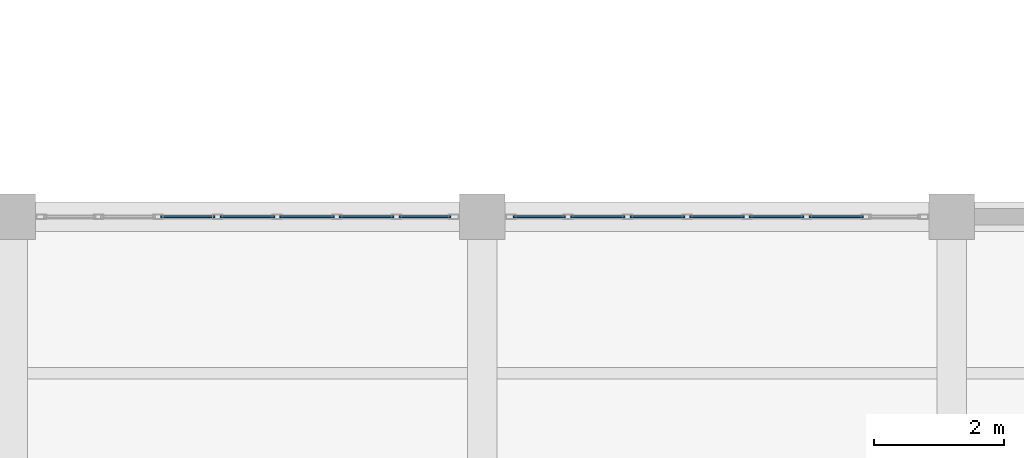
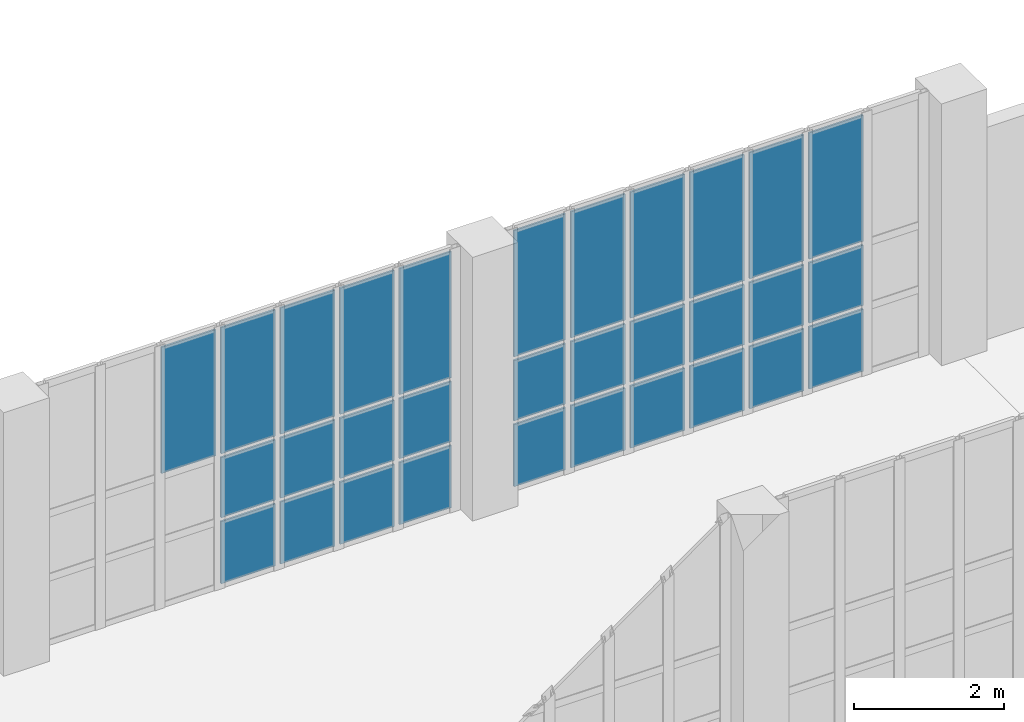
# One storey, part 76 of 108: 31 plates, 2 elements without a shape of their own.
"""IFC4 building model written with IfcOpenShell, lengths in metres."""

from ifc_helpers import new_model, si_unit, direction, frame, origin, origin_2d, place, context, subcontext, project, spatial, rectangle, extrude, material, layer, layer_set, type_object, element, aggregate, save


model = new_model("IFC4")

# Units and contexts
model_context = context("Model", 3, precision=1e-05, world=origin(), true_north=direction((0.0, 1.0)))
body_context = subcontext(model_context, "Body", "Model", "MODEL_VIEW")
ifc_project = project(units=[si_unit("LENGTHUNIT", "METRE"), si_unit("AREAUNIT", "SQUARE_METRE"), si_unit("VOLUMEUNIT", "CUBIC_METRE"), si_unit("PLANEANGLEUNIT", "RADIAN"), si_unit("MASSUNIT", "GRAM", prefix="KILO"), si_unit("THERMODYNAMICTEMPERATUREUNIT", "KELVIN"), si_unit("POWERUNIT", "WATT")], contexts=[model_context])

# Site, building, storey
site_placement = place(None, origin())
site = spatial("IfcSite", under=ifc_project, at=site_placement, CompositionType="ELEMENT")
building_placement = place(site_placement, origin())
building = spatial("IfcBuilding", under=site, at=building_placement, Name="Kaldorven Railside Theatre", CompositionType="ELEMENT")
storey_placement = place(building_placement, frame((0.0, 0.0, 5.39990234375)))
storey = spatial("IfcBuildingStorey", under=building, at=storey_placement, Name="L01", CompositionType="ELEMENT", Elevation=5.39990234375)

# Curtain wall, plates
ifc_material = material(Name="Low-E laminated solar-control glass", Category="glass")
ifc_layer_1 = layer(ifc_material, 0.159912109375, Name="Low-E laminated solar-control glass")
ifc_layer_set_1 = layer_set([ifc_layer_1], Name="Low-E laminated solar-control glass")
curtain_wall_type = type_object("IfcCurtainWallType", Name="CWT-25", PredefinedType="USERDEFINED", material=ifc_layer_set_1)
curtain_wall_1_placement = place(storey_placement, origin())
curtain_wall_1 = element("IfcCurtainWall", 1, at=curtain_wall_1_placement, inside=storey, type_object=curtain_wall_type, Name="Sinusoidal Fluted Curtain Wall CW-L01-BN03", ObjectType="FLUTED GLAZING", PredefinedType="USERDEFINED")
ifc_layer_2 = layer(ifc_material, 0.028076171875, Name="Low-E laminated solar-control glass")
ifc_layer_set_2 = layer_set([ifc_layer_2], Name="Low-E laminated solar-control glass")
plate_type = type_object("IfcPlateType", Name="CWP-GLZ28", PredefinedType="CURTAIN_PANEL", material=ifc_layer_set_2)
plate_1_placement = place(storey_placement, frame((61.085693359375, 76.800048828125, 2.169921875), z_axis=(0.0, 0.0, 1.0), x_axis=(1.0, 0.0, 0.0)))
plate_1 = element("IfcPlate", 2, at=plate_1_placement, type_object=plate_type, Name="CW-L01-BN03 panel 3.3", PredefinedType="CURTAIN_PANEL", context=body_context, shape_type="SweptSolid", body=[
    extrude(rectangle(XDim=0.834228515625, YDim=0.028076171875, at=origin_2d()), origin(), (0.0, 0.0, 1.0), 2.050048828125),
])
plate_2_placement = place(storey_placement, frame((62.0, 76.800048828125, 0.06005859375), z_axis=(0.0, 0.0, 1.0), x_axis=(1.0, 0.0, 0.0)))
plate_2 = element("IfcPlate", 3, at=plate_2_placement, type_object=plate_type, Name="CW-L01-BN03 panel 4.1", PredefinedType="CURTAIN_PANEL", context=body_context, shape_type="SweptSolid", body=[
    extrude(rectangle(XDim=0.834228515625, YDim=0.028076171875, at=origin_2d()), origin(), (0.0, 0.0, 1.0), 1.010009765625),
])
plate_3_placement = place(storey_placement, frame((62.0, 76.800048828125, 1.130126953125), z_axis=(0.0, 0.0, 1.0), x_axis=(1.0, 0.0, 0.0)))
plate_3 = element("IfcPlate", 4, at=plate_3_placement, type_object=plate_type, Name="CW-L01-BN03 panel 4.2", PredefinedType="CURTAIN_PANEL", context=body_context, shape_type="SweptSolid", body=[
    extrude(rectangle(XDim=0.834228515625, YDim=0.028076171875, at=origin_2d()), origin(), (0.0, 0.0, 1.0), 0.97998046875),
])
plate_4_placement = place(storey_placement, frame((62.0, 76.800048828125, 2.169921875), z_axis=(0.0, 0.0, 1.0), x_axis=(1.0, 0.0, 0.0)))
plate_4 = element("IfcPlate", 5, at=plate_4_placement, type_object=plate_type, Name="CW-L01-BN03 panel 4.3", PredefinedType="CURTAIN_PANEL", context=body_context, shape_type="SweptSolid", body=[
    extrude(rectangle(XDim=0.834228515625, YDim=0.028076171875, at=origin_2d()), origin(), (0.0, 0.0, 1.0), 2.050048828125),
])
plate_5_placement = place(storey_placement, frame((62.914306640625, 76.800048828125, 0.06005859375), z_axis=(0.0, 0.0, 1.0), x_axis=(1.0, 0.0, 0.0)))
plate_5 = element("IfcPlate", 6, at=plate_5_placement, type_object=plate_type, Name="CW-L01-BN03 panel 5.1", PredefinedType="CURTAIN_PANEL", context=body_context, shape_type="SweptSolid", body=[
    extrude(rectangle(XDim=0.834228515625, YDim=0.028076171875, at=origin_2d()), origin(), (0.0, 0.0, 1.0), 1.010009765625),
])
plate_6_placement = place(storey_placement, frame((62.914306640625, 76.800048828125, 1.130126953125), z_axis=(0.0, 0.0, 1.0), x_axis=(1.0, 0.0, 0.0)))
plate_6 = element("IfcPlate", 7, at=plate_6_placement, type_object=plate_type, Name="CW-L01-BN03 panel 5.2", PredefinedType="CURTAIN_PANEL", context=body_context, shape_type="SweptSolid", body=[
    extrude(rectangle(XDim=0.834228515625, YDim=0.028076171875, at=origin_2d()), origin(), (0.0, 0.0, 1.0), 0.97998046875),
])
plate_7_placement = place(storey_placement, frame((62.914306640625, 76.800048828125, 2.169921875), z_axis=(0.0, 0.0, 1.0), x_axis=(1.0, 0.0, 0.0)))
plate_7 = element("IfcPlate", 8, at=plate_7_placement, type_object=plate_type, Name="CW-L01-BN03 panel 5.3", PredefinedType="CURTAIN_PANEL", context=body_context, shape_type="SweptSolid", body=[
    extrude(rectangle(XDim=0.834228515625, YDim=0.028076171875, at=origin_2d()), origin(), (0.0, 0.0, 1.0), 2.050048828125),
])
plate_8_placement = place(storey_placement, frame((63.82861328125, 76.800048828125, 0.06005859375), z_axis=(0.0, 0.0, 1.0), x_axis=(1.0, 0.0, 0.0)))
plate_8 = element("IfcPlate", 9, at=plate_8_placement, type_object=plate_type, Name="CW-L01-BN03 panel 6.1", PredefinedType="CURTAIN_PANEL", context=body_context, shape_type="SweptSolid", body=[
    extrude(rectangle(XDim=0.834228515625, YDim=0.028076171875, at=origin_2d()), origin(), (0.0, 0.0, 1.0), 1.010009765625),
])
plate_9_placement = place(storey_placement, frame((63.82861328125, 76.800048828125, 1.130126953125), z_axis=(0.0, 0.0, 1.0), x_axis=(1.0, 0.0, 0.0)))
plate_9 = element("IfcPlate", 10, at=plate_9_placement, type_object=plate_type, Name="CW-L01-BN03 panel 6.2", PredefinedType="CURTAIN_PANEL", context=body_context, shape_type="SweptSolid", body=[
    extrude(rectangle(XDim=0.834228515625, YDim=0.028076171875, at=origin_2d()), origin(), (0.0, 0.0, 1.0), 0.97998046875),
])
plate_10_placement = place(storey_placement, frame((63.82861328125, 76.800048828125, 2.169921875), z_axis=(0.0, 0.0, 1.0), x_axis=(1.0, 0.0, 0.0)))
plate_10 = element("IfcPlate", 11, at=plate_10_placement, type_object=plate_type, Name="CW-L01-BN03 panel 6.3", PredefinedType="CURTAIN_PANEL", context=body_context, shape_type="SweptSolid", body=[
    extrude(rectangle(XDim=0.834228515625, YDim=0.028076171875, at=origin_2d()), origin(), (0.0, 0.0, 1.0), 2.050048828125),
])
plate_11_placement = place(storey_placement, frame((64.722900390625, 76.800048828125, 0.06005859375), z_axis=(0.0, 0.0, 1.0), x_axis=(1.0, 0.0, 0.0)))
plate_11 = element("IfcPlate", 12, at=plate_11_placement, type_object=plate_type, Name="CW-L01-BN03 panel 7.1", PredefinedType="CURTAIN_PANEL", context=body_context, shape_type="SweptSolid", body=[
    extrude(rectangle(XDim=0.794189453125, YDim=0.028076171875, at=origin_2d()), origin(), (0.0, 0.0, 1.0), 1.010009765625),
])
plate_12_placement = place(storey_placement, frame((64.722900390625, 76.800048828125, 1.130126953125), z_axis=(0.0, 0.0, 1.0), x_axis=(1.0, 0.0, 0.0)))
plate_12 = element("IfcPlate", 13, at=plate_12_placement, type_object=plate_type, Name="CW-L01-BN03 panel 7.2", PredefinedType="CURTAIN_PANEL", context=body_context, shape_type="SweptSolid", body=[
    extrude(rectangle(XDim=0.794189453125, YDim=0.028076171875, at=origin_2d()), origin(), (0.0, 0.0, 1.0), 0.97998046875),
])
plate_13_placement = place(storey_placement, frame((64.722900390625, 76.800048828125, 2.169921875), z_axis=(0.0, 0.0, 1.0), x_axis=(1.0, 0.0, 0.0)))
plate_13 = element("IfcPlate", 14, at=plate_13_placement, type_object=plate_type, Name="CW-L01-BN03 panel 7.3", PredefinedType="CURTAIN_PANEL", context=body_context, shape_type="SweptSolid", body=[
    extrude(rectangle(XDim=0.794189453125, YDim=0.028076171875, at=origin_2d()), origin(), (0.0, 0.0, 1.0), 2.050048828125),
])
aggregate(curtain_wall_1, [plate_1, plate_2, plate_3, plate_4, plate_5, plate_6, plate_7, plate_8, plate_9, plate_10, plate_11, plate_12, plate_13])

curtain_wall_2_placement = place(storey_placement, origin())
curtain_wall_2 = element("IfcCurtainWall", 15, at=curtain_wall_2_placement, inside=storey, type_object=curtain_wall_type, Name="Sinusoidal Fluted Curtain Wall CW-L01-BN04", ObjectType="FLUTED GLAZING", PredefinedType="USERDEFINED")
plate_14_placement = place(storey_placement, frame((66.47705078125, 76.800048828125, 0.06005859375), z_axis=(0.0, 0.0, 1.0), x_axis=(1.0, 0.0, 0.0)))
plate_14 = element("IfcPlate", 16, at=plate_14_placement, type_object=plate_type, Name="CW-L01-BN04 panel 1.1", PredefinedType="CURTAIN_PANEL", context=body_context, shape_type="SweptSolid", body=[
    extrude(rectangle(XDim=0.794189453125, YDim=0.028076171875, at=origin_2d()), origin(), (0.0, 0.0, 1.0), 1.010009765625),
])
plate_15_placement = place(storey_placement, frame((66.47705078125, 76.800048828125, 1.130126953125), z_axis=(0.0, 0.0, 1.0), x_axis=(1.0, 0.0, 0.0)))
plate_15 = element("IfcPlate", 17, at=plate_15_placement, type_object=plate_type, Name="CW-L01-BN04 panel 1.2", PredefinedType="CURTAIN_PANEL", context=body_context, shape_type="SweptSolid", body=[
    extrude(rectangle(XDim=0.794189453125, YDim=0.028076171875, at=origin_2d()), origin(), (0.0, 0.0, 1.0), 0.97998046875),
])
plate_16_placement = place(storey_placement, frame((66.47705078125, 76.800048828125, 2.169921875), z_axis=(0.0, 0.0, 1.0), x_axis=(1.0, 0.0, 0.0)))
plate_16 = element("IfcPlate", 18, at=plate_16_placement, type_object=plate_type, Name="CW-L01-BN04 panel 1.3", PredefinedType="CURTAIN_PANEL", context=body_context, shape_type="SweptSolid", body=[
    extrude(rectangle(XDim=0.794189453125, YDim=0.028076171875, at=origin_2d()), origin(), (0.0, 0.0, 1.0), 2.050048828125),
])
plate_17_placement = place(storey_placement, frame((67.371337890625, 76.800048828125, 0.06005859375), z_axis=(0.0, 0.0, 1.0), x_axis=(1.0, 0.0, 0.0)))
plate_17 = element("IfcPlate", 19, at=plate_17_placement, type_object=plate_type, Name="CW-L01-BN04 panel 2.1", PredefinedType="CURTAIN_PANEL", context=body_context, shape_type="SweptSolid", body=[
    extrude(rectangle(XDim=0.834228515625, YDim=0.028076171875, at=origin_2d()), origin(), (0.0, 0.0, 1.0), 1.010009765625),
])
plate_18_placement = place(storey_placement, frame((67.371337890625, 76.800048828125, 1.130126953125), z_axis=(0.0, 0.0, 1.0), x_axis=(1.0, 0.0, 0.0)))
plate_18 = element("IfcPlate", 20, at=plate_18_placement, type_object=plate_type, Name="CW-L01-BN04 panel 2.2", PredefinedType="CURTAIN_PANEL", context=body_context, shape_type="SweptSolid", body=[
    extrude(rectangle(XDim=0.834228515625, YDim=0.028076171875, at=origin_2d()), origin(), (0.0, 0.0, 1.0), 0.97998046875),
])
plate_19_placement = place(storey_placement, frame((67.371337890625, 76.800048828125, 2.169921875), z_axis=(0.0, 0.0, 1.0), x_axis=(1.0, 0.0, 0.0)))
plate_19 = element("IfcPlate", 21, at=plate_19_placement, type_object=plate_type, Name="CW-L01-BN04 panel 2.3", PredefinedType="CURTAIN_PANEL", context=body_context, shape_type="SweptSolid", body=[
    extrude(rectangle(XDim=0.834228515625, YDim=0.028076171875, at=origin_2d()), origin(), (0.0, 0.0, 1.0), 2.050048828125),
])
plate_20_placement = place(storey_placement, frame((68.28564453125, 76.800048828125, 0.06005859375), z_axis=(0.0, 0.0, 1.0), x_axis=(1.0, 0.0, 0.0)))
plate_20 = element("IfcPlate", 22, at=plate_20_placement, type_object=plate_type, Name="CW-L01-BN04 panel 3.1", PredefinedType="CURTAIN_PANEL", context=body_context, shape_type="SweptSolid", body=[
    extrude(rectangle(XDim=0.834228515625, YDim=0.028076171875, at=origin_2d()), origin(), (0.0, 0.0, 1.0), 1.010009765625),
])
plate_21_placement = place(storey_placement, frame((68.28564453125, 76.800048828125, 1.130126953125), z_axis=(0.0, 0.0, 1.0), x_axis=(1.0, 0.0, 0.0)))
plate_21 = element("IfcPlate", 23, at=plate_21_placement, type_object=plate_type, Name="CW-L01-BN04 panel 3.2", PredefinedType="CURTAIN_PANEL", context=body_context, shape_type="SweptSolid", body=[
    extrude(rectangle(XDim=0.834228515625, YDim=0.028076171875, at=origin_2d()), origin(), (0.0, 0.0, 1.0), 0.97998046875),
])
plate_22_placement = place(storey_placement, frame((68.28564453125, 76.800048828125, 2.169921875), z_axis=(0.0, 0.0, 1.0), x_axis=(1.0, 0.0, 0.0)))
plate_22 = element("IfcPlate", 24, at=plate_22_placement, type_object=plate_type, Name="CW-L01-BN04 panel 3.3", PredefinedType="CURTAIN_PANEL", context=body_context, shape_type="SweptSolid", body=[
    extrude(rectangle(XDim=0.834228515625, YDim=0.028076171875, at=origin_2d()), origin(), (0.0, 0.0, 1.0), 2.050048828125),
])
plate_23_placement = place(storey_placement, frame((69.199951171875, 76.800048828125, 0.06005859375), z_axis=(0.0, 0.0, 1.0), x_axis=(1.0, 0.0, 0.0)))
plate_23 = element("IfcPlate", 25, at=plate_23_placement, type_object=plate_type, Name="CW-L01-BN04 panel 4.1", PredefinedType="CURTAIN_PANEL", context=body_context, shape_type="SweptSolid", body=[
    extrude(rectangle(XDim=0.834228515625, YDim=0.028076171875, at=origin_2d()), origin(), (0.0, 0.0, 1.0), 1.010009765625),
])
plate_24_placement = place(storey_placement, frame((69.199951171875, 76.800048828125, 1.130126953125), z_axis=(0.0, 0.0, 1.0), x_axis=(1.0, 0.0, 0.0)))
plate_24 = element("IfcPlate", 26, at=plate_24_placement, type_object=plate_type, Name="CW-L01-BN04 panel 4.2", PredefinedType="CURTAIN_PANEL", context=body_context, shape_type="SweptSolid", body=[
    extrude(rectangle(XDim=0.834228515625, YDim=0.028076171875, at=origin_2d()), origin(), (0.0, 0.0, 1.0), 0.97998046875),
])
plate_25_placement = place(storey_placement, frame((69.199951171875, 76.800048828125, 2.169921875), z_axis=(0.0, 0.0, 1.0), x_axis=(1.0, 0.0, 0.0)))
plate_25 = element("IfcPlate", 27, at=plate_25_placement, type_object=plate_type, Name="CW-L01-BN04 panel 4.3", PredefinedType="CURTAIN_PANEL", context=body_context, shape_type="SweptSolid", body=[
    extrude(rectangle(XDim=0.834228515625, YDim=0.028076171875, at=origin_2d()), origin(), (0.0, 0.0, 1.0), 2.050048828125),
])
plate_26_placement = place(storey_placement, frame((70.1142578125, 76.800048828125, 0.06005859375), z_axis=(0.0, 0.0, 1.0), x_axis=(1.0, 0.0, 0.0)))
plate_26 = element("IfcPlate", 28, at=plate_26_placement, type_object=plate_type, Name="CW-L01-BN04 panel 5.1", PredefinedType="CURTAIN_PANEL", context=body_context, shape_type="SweptSolid", body=[
    extrude(rectangle(XDim=0.834228515625, YDim=0.028076171875, at=origin_2d()), origin(), (0.0, 0.0, 1.0), 1.010009765625),
])
plate_27_placement = place(storey_placement, frame((70.1142578125, 76.800048828125, 1.130126953125), z_axis=(0.0, 0.0, 1.0), x_axis=(1.0, 0.0, 0.0)))
plate_27 = element("IfcPlate", 29, at=plate_27_placement, type_object=plate_type, Name="CW-L01-BN04 panel 5.2", PredefinedType="CURTAIN_PANEL", context=body_context, shape_type="SweptSolid", body=[
    extrude(rectangle(XDim=0.834228515625, YDim=0.028076171875, at=origin_2d()), origin(), (0.0, 0.0, 1.0), 0.97998046875),
])
plate_28_placement = place(storey_placement, frame((70.1142578125, 76.800048828125, 2.169921875), z_axis=(0.0, 0.0, 1.0), x_axis=(1.0, 0.0, 0.0)))
plate_28 = element("IfcPlate", 30, at=plate_28_placement, type_object=plate_type, Name="CW-L01-BN04 panel 5.3", PredefinedType="CURTAIN_PANEL", context=body_context, shape_type="SweptSolid", body=[
    extrude(rectangle(XDim=0.834228515625, YDim=0.028076171875, at=origin_2d()), origin(), (0.0, 0.0, 1.0), 2.050048828125),
])
plate_29_placement = place(storey_placement, frame((71.028564453125, 76.800048828125, 0.06005859375), z_axis=(0.0, 0.0, 1.0), x_axis=(1.0, 0.0, 0.0)))
plate_29 = element("IfcPlate", 31, at=plate_29_placement, type_object=plate_type, Name="CW-L01-BN04 panel 6.1", PredefinedType="CURTAIN_PANEL", context=body_context, shape_type="SweptSolid", body=[
    extrude(rectangle(XDim=0.834228515625, YDim=0.028076171875, at=origin_2d()), origin(), (0.0, 0.0, 1.0), 1.010009765625),
])
plate_30_placement = place(storey_placement, frame((71.028564453125, 76.800048828125, 1.130126953125), z_axis=(0.0, 0.0, 1.0), x_axis=(1.0, 0.0, 0.0)))
plate_30 = element("IfcPlate", 32, at=plate_30_placement, type_object=plate_type, Name="CW-L01-BN04 panel 6.2", PredefinedType="CURTAIN_PANEL", context=body_context, shape_type="SweptSolid", body=[
    extrude(rectangle(XDim=0.834228515625, YDim=0.028076171875, at=origin_2d()), origin(), (0.0, 0.0, 1.0), 0.97998046875),
])
plate_31_placement = place(storey_placement, frame((71.028564453125, 76.800048828125, 2.169921875), z_axis=(0.0, 0.0, 1.0), x_axis=(1.0, 0.0, 0.0)))
plate_31 = element("IfcPlate", 33, at=plate_31_placement, type_object=plate_type, Name="CW-L01-BN04 panel 6.3", PredefinedType="CURTAIN_PANEL", context=body_context, shape_type="SweptSolid", body=[
    extrude(rectangle(XDim=0.834228515625, YDim=0.028076171875, at=origin_2d()), origin(), (0.0, 0.0, 1.0), 2.050048828125),
])
aggregate(curtain_wall_2, [plate_14, plate_15, plate_16, plate_17, plate_18, plate_19, plate_20, plate_21, plate_22, plate_23, plate_24, plate_25, plate_26, plate_27, plate_28, plate_29, plate_30, plate_31])

save(model, "model.ifc")
